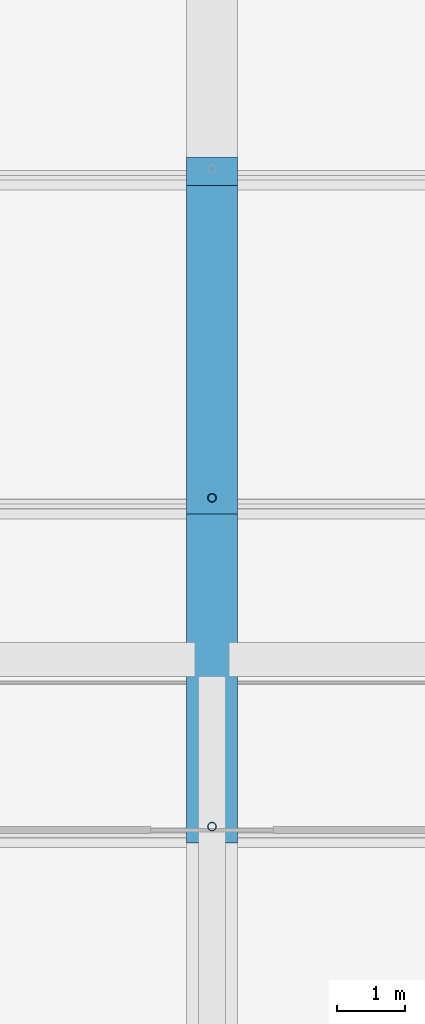
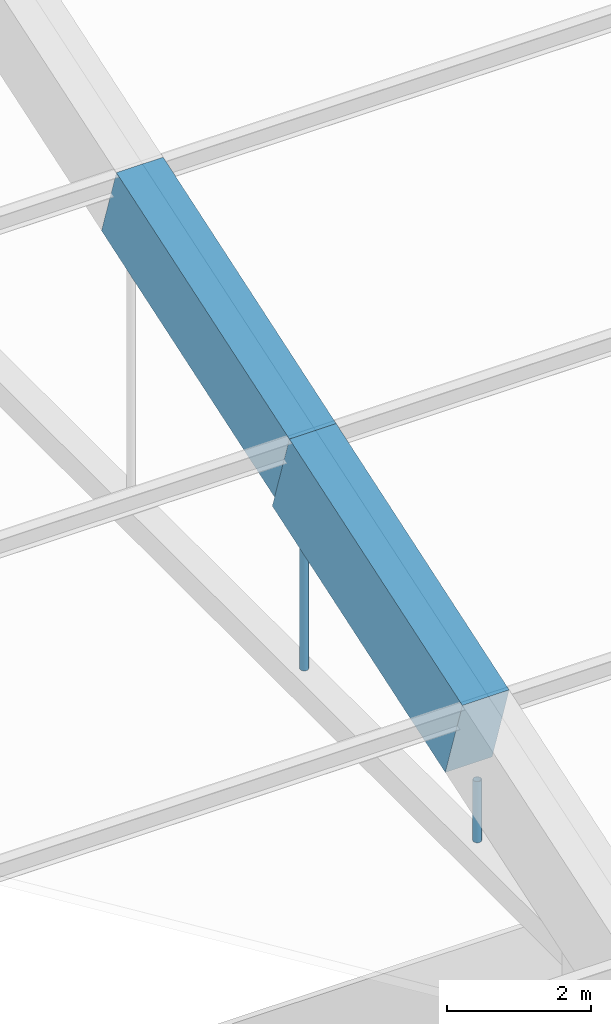
# One storey, part 22 of 149: 2 beams, 2 members.
"""IFC4 building model written with IfcOpenShell, lengths in metres."""

from ifc_helpers import new_model, si_unit, direction, frame, origin, origin_2d, place, context, subcontext, project, spatial, rectangle, hollow_circle, extrude, material, material_profile, profile_set, type_object, element, save


model = new_model("IFC4")

# Units and contexts
model_context = context("Model", 3, precision=1e-05, world=origin(), true_north=direction((0.0, 1.0)))
body_context = subcontext(model_context, "Body", "Model", "MODEL_VIEW")
ifc_project = project(units=[si_unit("LENGTHUNIT", "METRE"), si_unit("AREAUNIT", "SQUARE_METRE"), si_unit("VOLUMEUNIT", "CUBIC_METRE"), si_unit("PLANEANGLEUNIT", "RADIAN"), si_unit("MASSUNIT", "GRAM", prefix="KILO")], contexts=[model_context])

# Site, building, storey
site_placement = place(None, origin())
site = spatial("IfcSite", under=ifc_project, at=site_placement, CompositionType="ELEMENT")
building_placement = place(site_placement, origin())
building = spatial("IfcBuilding", under=site, at=building_placement, Name="Alderwick Market Hall", CompositionType="ELEMENT")
storey_placement = place(building_placement, frame((0.0, 0.0, 9.60009765625)))
storey = spatial("IfcBuildingStorey", under=building, at=storey_placement, Name="L01", CompositionType="ELEMENT", Elevation=9.60009765625)

# Beams
ifc_material_1 = material(Name="Concrete 5000 psi (f'c 35 MPa)", Category="concrete")
ifc_material_profile_1 = material_profile(ifc_material_1, rectangle(XDim=0.75, YDim=1.300048828125, at=origin_2d()), Name="RC 750x1300")
ifc_profile_set_1 = profile_set([ifc_material_profile_1], Name="Concrete 5000 psi (f'c 35 MPa)")
beam_type_1 = type_object("IfcBeamType", Name="R Arch Rib Haunch 750x1300", PredefinedType="BEAM", material=ifc_profile_set_1)
beam_1_placement = place(storey_placement, frame((122.39990234375, 59.96826171875, 9.894775390625), z_axis=(0.0, 0.948678472761, 0.316242241517), x_axis=(-1.0, 0.0, 0.0)))
element("IfcBeam", 1, at=beam_1_placement, inside=storey, type_object=beam_type_1, Name="Arch rib 6 chord 3", PredefinedType="BEAM", context=body_context, shape_type="SweptSolid", body=[
    extrude(rectangle(XDim=0.75, YDim=1.300048828125, at=origin_2d()), origin(), (0.0, 0.0, 1.0), 5.059814453125),
])
ifc_material_profile_2 = material_profile(ifc_material_1, rectangle(XDim=0.75, YDim=1.5, at=origin_2d()), Name="RC 750x1500")
ifc_profile_set_2 = profile_set([ifc_material_profile_2], Name="Concrete 5000 psi (f'c 35 MPa)")
beam_type_2 = type_object("IfcBeamType", Name="R Arch Rib Springing 750x1500", PredefinedType="BEAM", material=ifc_profile_set_2)
beam_2_placement = place(storey_placement, frame((122.39990234375, 55.199951171875, 8.199951171875), z_axis=(0.0, 0.948692948114, 0.316198814353), x_axis=(-1.0, 0.0, 0.0)))
element("IfcBeam", 2, at=beam_2_placement, inside=storey, type_object=beam_type_2, Name="Arch rib 6 chord 2", PredefinedType="BEAM", context=body_context, shape_type="SweptSolid", body=[
    extrude(rectangle(XDim=0.75, YDim=1.5, at=origin_2d()), origin(), (0.0, 0.0, 1.0), 5.0595703125),
])

# Members
ifc_material_2 = material(Name="Steel ASTM A500 Grade C", Category="steel")
ifc_material_profile_3 = material_profile(ifc_material_2, hollow_circle(Radius=0.0634765625, WallThickness=0.005859375, at=origin_2d()), Name="HSS5.000x0.250")
ifc_profile_set_3 = profile_set([ifc_material_profile_3], Name="Steel ASTM A500 Grade C")
member_type = type_object("IfcMemberType", Name="R Hanger HSS5.000x0.250", PredefinedType="POST", material=ifc_profile_set_3)
member_1_placement = place(storey_placement, frame((122.39990234375, 55.199951171875, 6.35302734375), z_axis=(0.0, 0.0, 1.0), x_axis=(1.0, 0.0, 0.0)))
element("IfcMember", 3, at=member_1_placement, inside=storey, type_object=member_type, Name="Arch hanger 6.1", PredefinedType="POST", context=body_context, shape_type="SweptSolid", body=[
    extrude(hollow_circle(Radius=0.0634765625, WallThickness=0.005859375, at=origin_2d()), origin(), (0.0, 0.0, 1.0), 1.03515625),
])
member_2_placement = place(storey_placement, frame((122.39990234375, 60.0, 6.35302734375), z_axis=(0.0, 0.0, 1.0), x_axis=(1.0, 0.0, 0.0)))
element("IfcMember", 4, at=member_2_placement, inside=storey, type_object=member_type, Name="Arch hanger 6.2", PredefinedType="POST", context=body_context, shape_type="SweptSolid", body=[
    extrude(hollow_circle(Radius=0.0634765625, WallThickness=0.005859375, at=origin_2d()), origin(), (0.0, 0.0, 1.0), 2.63525390625),
])

save(model, "model.ifc")
